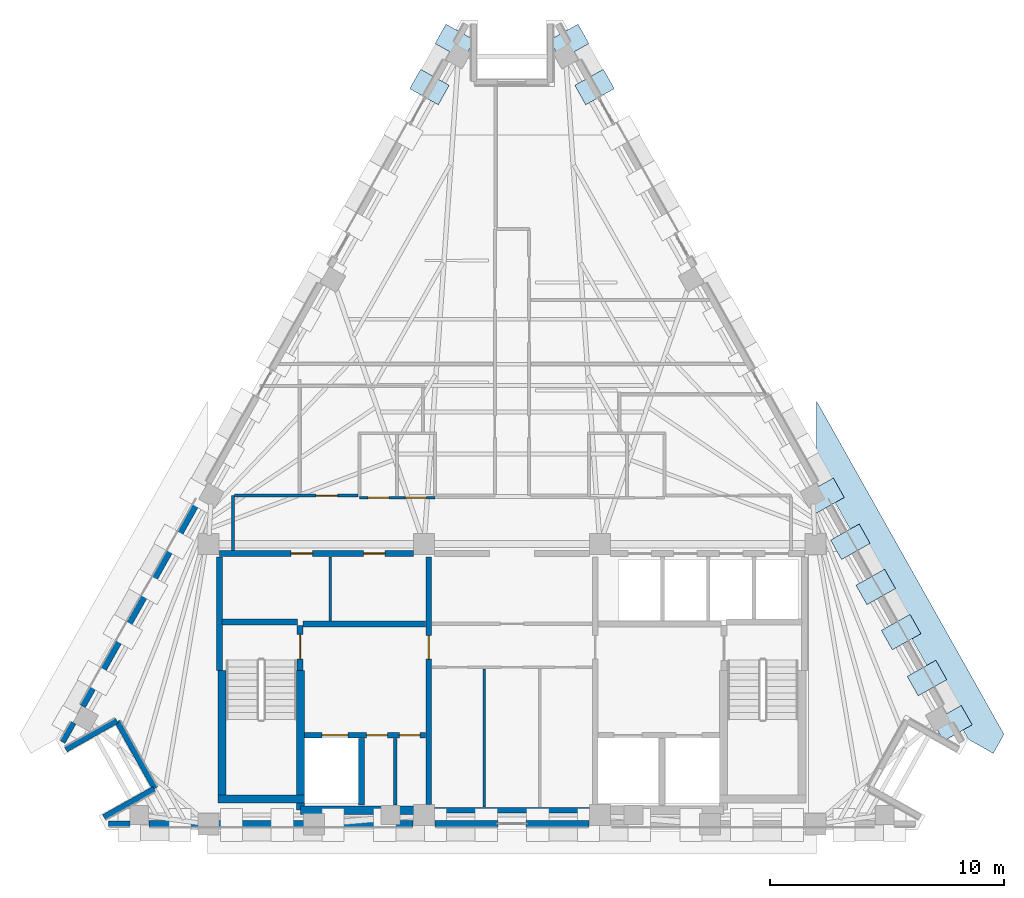
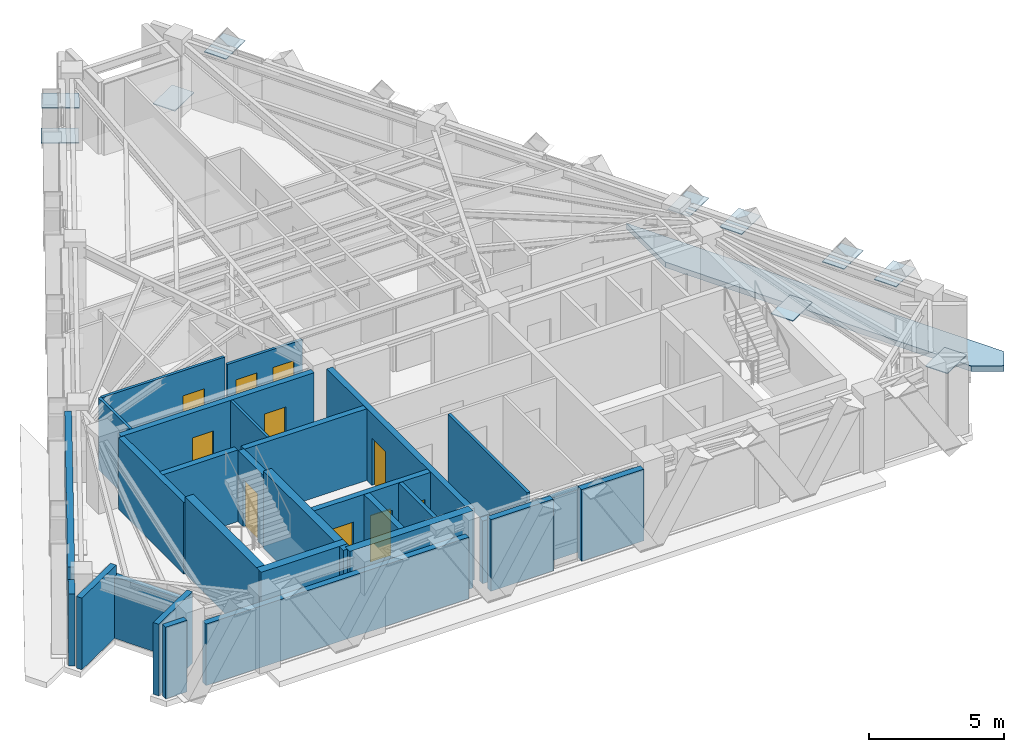
# One storey, part 5 of 9: 28 walls, 10 doors, 10 plates, 1 slab, 10 openings.
"""IFC4 building model written with IfcOpenShell, lengths in metres."""

from ifc_helpers import new_model, si_unit, direction, frame, frame_2d, origin, origin_2d, place, context, subcontext, project, spatial, polyline, rectangle, outline, extrude, material, layer, layer_set, type_object, element, fill, save


model = new_model("IFC4")

# Units and contexts
model_context = context("Model", 3, precision=1e-05, world=origin(), true_north=direction((0.0, 1.0)))
body_context = subcontext(model_context, "Body", "Model", "MODEL_VIEW")
ifc_project = project(units=[si_unit("LENGTHUNIT", "METRE"), si_unit("AREAUNIT", "SQUARE_METRE"), si_unit("VOLUMEUNIT", "CUBIC_METRE"), si_unit("PLANEANGLEUNIT", "RADIAN"), si_unit("MASSUNIT", "GRAM", prefix="KILO")], contexts=[model_context])

# Site, building, storey
site_placement = place(None, origin())
site = spatial("IfcSite", under=ifc_project, at=site_placement, CompositionType="ELEMENT")
building_placement = place(site_placement, origin())
building = spatial("IfcBuilding", under=site, at=building_placement, Name="Quenlor Broadcast Tower", CompositionType="ELEMENT")
storey_placement = place(building_placement, frame((0.0, 0.0, 228.89990234375)))
storey = spatial("IfcBuildingStorey", under=building, at=storey_placement, Name="L63", CompositionType="ELEMENT", Elevation=228.89990234375)

# Slab
ifc_material_1 = material(Name="Concrete C40/50", Category="concrete")
ifc_layer_1 = layer(ifc_material_1, 0.25)
ifc_layer_set_1 = layer_set([ifc_layer_1], Name="Tower Setback Weatherproof Concrete C40/50 Roof Slab 250")
slab_type = type_object("IfcSlabType", Name="Tower Setback Weatherproof Concrete C40/50 Roof Slab 250", PredefinedType="ROOF", material=ifc_layer_set_1)
slab_placement = place(storey_placement, frame((0.0, 0.0, -0.25)))
element("IfcSlab", 1, at=slab_placement, inside=storey, type_object=slab_type, Name="L63 Setback Weatherproof Roof Slab 2", PredefinedType="ROOF", context=body_context, shape_type="SweptSolid", body=[
    extrude(outline(polyline([(20.988037109375, -12.912109375), (20.530029296875, -13.72607421875), (19.468505859375, -13.12890625), (13.0, -1.62939453125), (13.0, 1.288818359375), (20.988037109375, -12.912109375)])), origin(), (0.0, 0.0, 1.0), 0.25),
])

# Plates
ifc_material_2 = material(Name="Steel S355", Category="steel")
ifc_layer_2 = layer(ifc_material_2, 0.035888671875)
ifc_layer_set_2 = layer_set([ifc_layer_2], Name="Transfer Truss Steel S355 Gusset Node Plate 1400x950x36")
plate_type = type_object("IfcPlateType", Name="Transfer Truss Steel S355 Gusset Node Plate 1400x950x36", PredefinedType="SHEET", material=ifc_layer_set_2)
for number, where, z_axis, x_axis, name in (
    (2, (2.438232421875, 16.626708984375, 0.0419921875), (0.0, 0.0, 1.0), (0.871556314255, 0.490295412055, 0.0), "L63 Lattice Tie Gusset Node NE-B0"),
    (3, (3.521728515625, 14.70068359375, 3.18212890625), (0.0, 0.0, 1.0), (0.871556314255, 0.490295412055, 0.0), "L63 Lattice Tie Gusset Node NE-T1"),
    (4, (13.330810546875, -2.73779296875, 3.18212890625), (0.0, 0.0, 1.0), (0.871556314255, 0.490295412055, 0.0), "L63 Lattice Tie Gusset Node NE-T10"),
    (5, (15.51708984375, -6.62451171875, 0.0419921875), (0.0, 0.0, 1.0), (0.871556314255, 0.490295412055, 0.0), "L63 Lattice Tie Gusset Node NE-B12"),
    (6, (14.433837890625, -4.698486328125, 3.18212890625), (0.0, 0.0, 1.0), (0.871556314255, 0.490295412055, 0.0), "L63 Lattice Tie Gusset Node NE-T11"),
    (7, (16.6005859375, -8.550537109375, 3.18212890625), (0.0, 0.0, 1.0), (0.871556314255, 0.490295412055, 0.0), "L63 Lattice Tie Gusset Node NE-T13"),
    (8, (18.786865234375, -12.4375, 0.0419921875), (0.0, 0.0, 1.0), (0.871556314255, 0.490295412055, 0.0), "L63 Lattice Tie Gusset Node NE-B15"),
    (9, (17.70361328125, -10.511474609375, 3.18212890625), (0.0, 0.0, 1.0), (0.871556314255, 0.490295412055, 0.0), "L63 Lattice Tie Gusset Node NE-T14"),
    (10, (-2.438232421875, 16.626708984375, 0.0419921875), (0.0, 0.0, 1.0), (-0.871556314255, 0.490295412055, 0.0), "L63 Lattice Tie Gusset Node NW-B15"),
    (11, (-3.521728515625, 14.70068359375, 3.18212890625), (0.0, 0.0, 1.0), (-0.871556314255, 0.490295412055, 0.0), "L63 Lattice Tie Gusset Node NW-T14"),
):
    element("IfcPlate", number, at=place(storey_placement, frame(where, z_axis=z_axis, x_axis=x_axis)), inside=storey, type_object=plate_type, Name=name, PredefinedType="SHEET", context=body_context, shape_type="SweptSolid", body=[
        extrude(rectangle(XDim=1.39990234375, YDim=0.949951171875, at=origin_2d()), origin(), (0.0, 0.0, 1.0), 0.035888671875),
    ])

# Walls
ifc_material_3 = material(Name="Concrete C50/60", Category="concrete")
ifc_layer_3 = layer(ifc_material_3, 0.35009765625)
ifc_layer_set_3 = layer_set([ifc_layer_3], Name="Core Concrete C50/60 Shear Wall 350")
wall_type_1 = type_object("IfcWallType", Name="Core Concrete C50/60 Shear Wall 350", PredefinedType="SHEAR", material=ifc_layer_set_3)
wall_1_placement = place(storey_placement, frame((-12.550048828125, -15.675048828125, 0.0), z_axis=(0.0, 0.0, 1.0), x_axis=(1.0, 0.0, 0.0)))
element("IfcWall", 12, at=wall_1_placement, inside=storey, type_object=wall_type_1, Name="L63 Core Shear Wall WS-W1", PredefinedType="SHEAR", context=body_context, shape_type="SweptSolid", body=[
    extrude(rectangle(XDim=3.699951171875, YDim=0.35009765625, at=frame_2d((1.85009765625, 0.0))), origin(), (0.0, 0.0, 1.0), 3.5),
])
wall_2_placement = place(storey_placement, frame((-9.02490234375, -16.14990234375, 0.0), z_axis=(0.0, 0.0, 1.0), x_axis=(1.0, 0.0, 0.0)))
element("IfcWall", 13, at=wall_2_placement, inside=storey, type_object=wall_type_1, Name="L63 Core Shear Wall WS-W2", PredefinedType="SHEAR", context=body_context, shape_type="SweptSolid", body=[
    extrude(rectangle(XDim=5.27490234375, YDim=0.35009765625, at=frame_2d((2.637451171875, 0.0))), origin(), (0.0, 0.0, 1.0), 3.5),
])
wall_3_placement = place(storey_placement, frame((-12.375, -15.675048828125, 0.0), z_axis=(0.0, 0.0, 1.0), x_axis=(0.0, 1.0, 0.0)))
element("IfcWall", 14, at=wall_3_placement, inside=storey, type_object=wall_type_1, Name="L63 Core Shear Wall WF-W", PredefinedType="SHEAR", context=body_context, shape_type="SweptSolid", body=[
    extrude(rectangle(XDim=5.47509765625, YDim=0.35009765625, at=frame_2d((2.737548828125, 0.0))), origin(), (0.0, 0.0, 1.0), 3.5),
])
wall_4_placement = place(storey_placement, frame((-9.02490234375, -16.14990234375, 0.0), z_axis=(0.0, 0.0, 1.0), x_axis=(0.0, 1.0, 0.0)))
element("IfcWall", 15, at=wall_4_placement, inside=storey, type_object=wall_type_1, Name="L63 Core Shear Wall WI-W", PredefinedType="SHEAR", context=body_context, shape_type="SweptSolid", body=[
    extrude(rectangle(XDim=5.949951171875, YDim=0.35009765625, at=frame_2d((2.97509765625, 0.0))), origin(), (0.0, 0.0, 1.0), 3.5),
])

# Wall, opening, door
ifc_material_4 = material(Name="Concrete C40/50", Category="concrete")
ifc_layer_4 = layer(ifc_material_4, 0.25)
ifc_layer_set_4 = layer_set([ifc_layer_4], Name="Fire Rated Concrete C40/50 Core Wall 250")
wall_type_2 = type_object("IfcWallType", Name="Fire Rated Concrete C40/50 Core Wall 250", PredefinedType="PARTITIONING", material=ifc_layer_set_4)
wall_5_placement = place(storey_placement, frame((-9.0400390625, -10.179931640625, 0.0), z_axis=(0.0, 0.0, 1.0), x_axis=(0.0, 1.0, 0.0)))
wall_5 = element("IfcWall", 16, at=wall_5_placement, inside=storey, type_object=wall_type_2, Name="L63 Interior Wall CW-ST1-DR", PredefinedType="PARTITIONING", context=body_context, shape_type="SweptSolid", body=[
    extrude(rectangle(XDim=1.89990234375, YDim=0.25, at=frame_2d((0.949951171875, 0.0))), origin(), (0.0, 0.0, 1.0), 3.25),
])
opening_1_placement = place(wall_5_placement, frame((0.47998046875, 0.0, 0.0)))
opening_1 = element("IfcOpeningElement", 17, at=opening_1_placement, cuts=wall_5, Name="Opening FD-1", PredefinedType="OPENING", context=body_context, shape_type="SweptSolid", body=[
    extrude(rectangle(XDim=1.050048828125, YDim=2.14990234375, at=frame_2d((0.52490234375, 1.074951171875))), frame((0.0, 0.135009765625, 0.0), z_axis=(0.0, -1.0, 0.0), x_axis=(1.0, 0.0, 0.0)), (0.0, 0.0, 1.0), 0.27001953125),
])
ifc_material_5 = material(Name="Fire Rated Steel Door Leaf", Category="steel")
door_type_1 = type_object("IfcDoorType", Name="Fire Isolated Stair Door 1050x2150", OperationType="NOTDEFINED", PredefinedType="DOOR", material=ifc_material_5)
door_1_placement = place(opening_1_placement, origin())
door_1 = element("IfcDoor", 18, at=door_1_placement, inside=storey, type_object=door_type_1, Name="L63 Door DR-ST1", OperationType="SINGLE_SWING_LEFT", OverallHeight=2.14990234375, OverallWidth=1.050048828125, PredefinedType="DOOR", context=body_context, shape_type="SweptSolid", body=[
    extrude(rectangle(XDim=1.050048828125, YDim=2.14990234375, at=frame_2d((0.52490234375, 1.074951171875))), frame((0.0, 0.02490234375, 0.0), z_axis=(0.0, -1.0, 0.0), x_axis=(1.0, 0.0, 0.0)), (0.0, 0.0, 1.0), 0.050048828125),
])
fill(opening_1, door_1)

# Walls
wall_6_placement = place(storey_placement, frame((-12.3798828125, -8.1201171875, 0.0), z_axis=(0.0, 0.0, 1.0), x_axis=(1.0, 0.0, 0.0)))
element("IfcWall", 19, at=wall_6_placement, inside=storey, type_object=wall_type_2, Name="L63 Interior Wall CW-ST1-N", PredefinedType="PARTITIONING", context=body_context, shape_type="SweptSolid", body=[
    extrude(rectangle(XDim=3.219970703125, YDim=0.25, at=frame_2d((1.60986328125, 0.0))), origin(), (0.0, 0.0, 1.0), 3.25),
])
wall_7_placement = place(storey_placement, frame((-12.47998046875, -10.179931640625, 0.0), z_axis=(0.0, 0.0, 1.0), x_axis=(0.0, 1.0, 0.0)))
element("IfcWall", 20, at=wall_7_placement, inside=storey, type_object=wall_type_2, Name="L63 Interior Wall CW-ST1-W2", PredefinedType="PARTITIONING", context=body_context, shape_type="SweptSolid", body=[
    extrude(rectangle(XDim=4.83984375, YDim=0.25, at=frame_2d((2.419921875, 0.0))), origin(), (0.0, 0.0, 1.0), 3.25),
])

# Wall, openings, doors
wall_8_placement = place(storey_placement, frame((-8.847900390625, -12.949951171875, 0.0), z_axis=(0.0, 0.0, 1.0), x_axis=(1.0, 0.0, 0.0)))
wall_8 = element("IfcWall", 21, at=wall_8_placement, inside=storey, type_object=wall_type_2, Name="L63 Interior Wall CW-FFW-S", PredefinedType="PARTITIONING", context=body_context, shape_type="SweptSolid", body=[
    extrude(rectangle(XDim=5.16796875, YDim=0.25, at=frame_2d((2.583984375, 0.0))), origin(), (0.0, 0.0, 1.0), 3.25),
])
opening_2_placement = place(wall_8_placement, frame((0.748046875, 0.0, 0.0)))
opening_2 = element("IfcOpeningElement", 22, at=opening_2_placement, cuts=wall_8, Name="Opening LD-FFL-1", PredefinedType="OPENING", context=body_context, shape_type="SweptSolid", body=[
    extrude(rectangle(XDim=1.10009765625, YDim=2.14990234375, at=frame_2d((0.550048828125, 1.074951171875))), frame((0.0, 0.135009765625, 0.0), z_axis=(0.0, -1.0, 0.0), x_axis=(1.0, 0.0, 0.0)), (0.0, 0.0, 1.0), 0.27001953125),
])
opening_3_placement = place(wall_8_placement, frame((2.64794921875, 0.0, 0.0)))
opening_3 = element("IfcOpeningElement", 23, at=opening_3_placement, cuts=wall_8, Name="Opening TD-1", PredefinedType="OPENING", context=body_context, shape_type="SweptSolid", body=[
    extrude(rectangle(XDim=0.8798828125, YDim=2.10009765625, at=frame_2d((0.43994140625, 1.050048828125))), frame((0.0, 0.135009765625, 0.0), z_axis=(0.0, -1.0, 0.0), x_axis=(1.0, 0.0, 0.0)), (0.0, 0.0, 1.0), 0.27001953125),
])
opening_4_placement = place(wall_8_placement, frame((4.048095703125, 0.0, 0.0)))
opening_4 = element("IfcOpeningElement", 24, at=opening_4_placement, cuts=wall_8, Name="Opening TD-1", PredefinedType="OPENING", context=body_context, shape_type="SweptSolid", body=[
    extrude(rectangle(XDim=0.8798828125, YDim=2.10009765625, at=frame_2d((0.43994140625, 1.050048828125))), frame((0.0, 0.135009765625, 0.0), z_axis=(0.0, -1.0, 0.0), x_axis=(1.0, 0.0, 0.0)), (0.0, 0.0, 1.0), 0.27001953125),
])
ifc_material_6 = material(Name="Brushed Stainless Steel", Category="steel")
door_type_2 = type_object("IfcDoorType", Name="Emergency Lift Sliding Landing Door 1100x2150", OperationType="NOTDEFINED", PredefinedType="DOOR", material=ifc_material_6)
door_2_placement = place(opening_2_placement, origin())
door_2 = element("IfcDoor", 25, at=door_2_placement, inside=storey, type_object=door_type_2, Name="L63 Door LD-FFL-1", OperationType="SLIDING_TO_LEFT", OverallHeight=2.14990234375, OverallWidth=1.10009765625, PredefinedType="DOOR", context=body_context, shape_type="SweptSolid", body=[
    extrude(rectangle(XDim=1.10009765625, YDim=2.14990234375, at=frame_2d((0.550048828125, 1.074951171875))), frame((0.0, 0.02490234375, 0.0), z_axis=(0.0, -1.0, 0.0), x_axis=(1.0, 0.0, 0.0)), (0.0, 0.0, 1.0), 0.050048828125),
])
fill(opening_2, door_2)
ifc_material_7 = material(Name="Fire Rated Steel Access Panel", Category="steel")
door_type_3 = type_object("IfcDoorType", Name="Riser Shaft Rated Access Trapdoor 880x2100", OperationType="NOTDEFINED", PredefinedType="TRAPDOOR", material=ifc_material_7)
door_3_placement = place(opening_3_placement, origin())
door_3 = element("IfcDoor", 26, at=door_3_placement, inside=storey, type_object=door_type_3, Name="L63 Door DR-ELR", OperationType="SINGLE_SWING_LEFT", OverallHeight=2.10009765625, OverallWidth=0.8798828125, PredefinedType="TRAPDOOR", context=body_context, shape_type="SweptSolid", body=[
    extrude(rectangle(XDim=0.8798828125, YDim=2.10009765625, at=frame_2d((0.43994140625, 1.050048828125))), frame((0.0, 0.02490234375, 0.0), z_axis=(0.0, -1.0, 0.0), x_axis=(1.0, 0.0, 0.0)), (0.0, 0.0, 1.0), 0.050048828125),
])
fill(opening_3, door_3)
door_4_placement = place(opening_4_placement, origin())
door_4 = element("IfcDoor", 27, at=door_4_placement, inside=storey, type_object=door_type_3, Name="L63 Door DR-CMR", OperationType="SINGLE_SWING_RIGHT", OverallHeight=2.10009765625, OverallWidth=0.8798828125, PredefinedType="TRAPDOOR", context=body_context, shape_type="SweptSolid", body=[
    extrude(rectangle(XDim=0.8798828125, YDim=2.10009765625, at=frame_2d((0.43994140625, 1.050048828125))), frame((0.0, 0.02490234375, 0.0), z_axis=(0.0, -1.0, 0.0), x_axis=(1.0, 0.0, 0.0)), (0.0, 0.0, 1.0), 0.050048828125),
])
fill(opening_4, door_4)

# Walls
wall_9_placement = place(storey_placement, frame((-6.419921875, -15.919921875, 0.0), z_axis=(0.0, 0.0, 1.0), x_axis=(0.0, 1.0, 0.0)))
element("IfcWall", 28, at=wall_9_placement, inside=storey, type_object=wall_type_2, Name="L63 Interior Wall CW-FF1-E", PredefinedType="PARTITIONING", context=body_context, shape_type="SweptSolid", body=[
    extrude(rectangle(XDim=2.829833984375, YDim=0.25, at=frame_2d((1.4150390625, 0.0))), origin(), (0.0, 0.0, 1.0), 3.25),
])
wall_10_placement = place(storey_placement, frame((-8.919921875, -8.199951171875, 0.0), z_axis=(0.0, 0.0, 1.0), x_axis=(1.0, 0.0, 0.0)))
element("IfcWall", 29, at=wall_10_placement, inside=storey, type_object=wall_type_2, Name="L63 Interior Wall CW-FFW-N", PredefinedType="PARTITIONING", context=body_context, shape_type="SweptSolid", body=[
    extrude(rectangle(XDim=5.239990234375, YDim=0.25, at=frame_2d((2.6201171875, 0.0))), origin(), (0.0, 0.0, 1.0), 3.25),
])

# Wall, opening, door
wall_11_placement = place(storey_placement, frame((-3.550048828125, -15.89794921875, 0.0), z_axis=(0.0, 0.0, 1.0), x_axis=(0.0, 1.0, 0.0)))
wall_11 = element("IfcWall", 30, at=wall_11_placement, inside=storey, type_object=wall_type_2, Name="L63 Interior Wall CW-FFW-E", PredefinedType="PARTITIONING", context=body_context, shape_type="SweptSolid", body=[
    extrude(rectangle(XDim=10.557861328125, YDim=0.25, at=frame_2d((5.27880859375, 0.0))), origin(), (0.0, 0.0, 1.0), 3.25),
])
opening_5_placement = place(wall_11_placement, frame((6.197998046875, 0.0, 0.0)))
opening_5 = element("IfcOpeningElement", 31, at=opening_5_placement, cuts=wall_11, Name="Opening FD-2", PredefinedType="OPENING", context=body_context, shape_type="SweptSolid", body=[
    extrude(rectangle(XDim=1.0, YDim=2.14990234375, at=frame_2d((0.5, 1.074951171875))), frame((0.0, 0.135009765625, 0.0), z_axis=(0.0, -1.0, 0.0), x_axis=(1.0, 0.0, 0.0)), (0.0, 0.0, 1.0), 0.27001953125),
])
ifc_material_8 = material(Name="Fire Rated Glazed Steel Door", Category="steel")
door_type_4 = type_object("IfcDoorType", Name="Firefighting Lobby Smoke Door 1000x2150", OperationType="NOTDEFINED", PredefinedType="DOOR", material=ifc_material_8)
door_5_placement = place(opening_5_placement, origin())
door_5 = element("IfcDoor", 32, at=door_5_placement, inside=storey, type_object=door_type_4, Name="L63 Door DR-FFLW", OperationType="SINGLE_SWING_RIGHT", OverallHeight=2.14990234375, OverallWidth=1.0, PredefinedType="DOOR", context=body_context, shape_type="SweptSolid", body=[
    extrude(rectangle(XDim=1.0, YDim=2.14990234375, at=frame_2d((0.5, 1.074951171875))), frame((0.0, 0.02490234375, 0.0), z_axis=(0.0, -1.0, 0.0), x_axis=(1.0, 0.0, 0.0)), (0.0, 0.0, 1.0), 0.050048828125),
])
fill(opening_5, door_5)

# Wall, openings, doors
wall_12_placement = place(storey_placement, frame((-12.47998046875, -5.199951171875, 0.0), z_axis=(0.0, 0.0, 1.0), x_axis=(1.0, 0.0, 0.0)))
wall_12 = element("IfcWall", 33, at=wall_12_placement, inside=storey, type_object=wall_type_2, Name="L63 Interior Wall CW-N-W", PredefinedType="PARTITIONING", context=body_context, shape_type="SweptSolid", body=[
    extrude(rectangle(XDim=8.278076171875, YDim=0.25, at=frame_2d((4.13916015625, 0.0))), origin(), (0.0, 0.0, 1.0), 3.25),
])
opening_6_placement = place(wall_12_placement, frame((3.050048828125, 0.0, 0.0)))
opening_6 = element("IfcOpeningElement", 34, at=opening_6_placement, cuts=wall_12, Name="Opening ID-1", PredefinedType="OPENING", context=body_context, shape_type="SweptSolid", body=[
    extrude(rectangle(XDim=0.919921875, YDim=2.1201171875, at=frame_2d((0.4599609375, 1.06005859375))), frame((0.0, 0.135009765625, 0.0), z_axis=(0.0, -1.0, 0.0), x_axis=(1.0, 0.0, 0.0)), (0.0, 0.0, 1.0), 0.27001953125),
])
opening_7_placement = place(wall_12_placement, frame((6.14990234375, 0.0, 0.0)))
opening_7 = element("IfcOpeningElement", 35, at=opening_7_placement, cuts=wall_12, Name="Opening ID-1", PredefinedType="OPENING", context=body_context, shape_type="SweptSolid", body=[
    extrude(rectangle(XDim=0.919921875, YDim=2.1201171875, at=frame_2d((0.4599609375, 1.06005859375))), frame((0.0, 0.135009765625, 0.0), z_axis=(0.0, -1.0, 0.0), x_axis=(1.0, 0.0, 0.0)), (0.0, 0.0, 1.0), 0.27001953125),
])
ifc_material_9 = material(Name="Solid Core Timber Oak", Category="wood")
door_type_5 = type_object("IfcDoorType", Name="Single Leaf Timber Office Door 920x2120", OperationType="NOTDEFINED", PredefinedType="DOOR", material=ifc_material_9)
door_6_placement = place(opening_6_placement, origin())
door_6 = element("IfcDoor", 36, at=door_6_placement, inside=storey, type_object=door_type_5, Name="L63 Door DR-RCL1", OperationType="SINGLE_SWING_LEFT", OverallHeight=2.1201171875, OverallWidth=0.919921875, PredefinedType="DOOR", context=body_context, shape_type="SweptSolid", body=[
    extrude(rectangle(XDim=0.919921875, YDim=2.1201171875, at=frame_2d((0.4599609375, 1.06005859375))), frame((0.0, 0.02490234375, 0.0), z_axis=(0.0, -1.0, 0.0), x_axis=(1.0, 0.0, 0.0)), (0.0, 0.0, 1.0), 0.050048828125),
])
fill(opening_6, door_6)
door_7_placement = place(opening_7_placement, origin())
door_7 = element("IfcDoor", 37, at=door_7_placement, inside=storey, type_object=door_type_5, Name="L63 Door DR-RCL2", OperationType="SINGLE_SWING_RIGHT", OverallHeight=2.1201171875, OverallWidth=0.919921875, PredefinedType="DOOR", context=body_context, shape_type="SweptSolid", body=[
    extrude(rectangle(XDim=0.919921875, YDim=2.1201171875, at=frame_2d((0.4599609375, 1.06005859375))), frame((0.0, 0.02490234375, 0.0), z_axis=(0.0, -1.0, 0.0), x_axis=(1.0, 0.0, 0.0)), (0.0, 0.0, 1.0), 0.050048828125),
])
fill(opening_7, door_7)

# Walls
wall_13_placement = place(storey_placement, frame((-3.298095703125, -16.14990234375, 0.0), z_axis=(0.0, 0.0, 1.0), x_axis=(1.0, 0.0, 0.0)))
element("IfcWall", 38, at=wall_13_placement, inside=storey, type_object=wall_type_2, Name="L63 Interior Wall CW-MS-S", PredefinedType="PARTITIONING", context=body_context, shape_type="SweptSolid", body=[
    extrude(rectangle(XDim=6.59619140625, YDim=0.25, at=frame_2d((3.298095703125, 0.0))), origin(), (0.0, 0.0, 1.0), 2.84375),
])
ifc_material_10 = material(Name="Gypsum Fireboard Partition", Category="other")
ifc_layer_5 = layer(ifc_material_10, 0.159912109375)
ifc_layer_set_5 = layer_set([ifc_layer_5], Name="Fire Rated Shaft and Corridor Partition 160")
wall_type_3 = type_object("IfcWallType", Name="Fire Rated Shaft and Corridor Partition 160", PredefinedType="PARTITIONING", material=ifc_layer_set_5)
wall_14_placement = place(storey_placement, frame((-4.97998046875, -15.919921875, 0.0), z_axis=(0.0, 0.0, 1.0), x_axis=(0.0, 1.0, 0.0)))
element("IfcWall", 39, at=wall_14_placement, inside=storey, type_object=wall_type_3, Name="L63 Interior Wall CW-ELR-E", PredefinedType="PARTITIONING", context=body_context, shape_type="SweptSolid", body=[
    extrude(rectangle(XDim=2.829833984375, YDim=0.159912109375, at=frame_2d((1.4150390625, 0.0))), origin(), (0.0, 0.0, 1.0), 3.25),
])
ifc_material_11 = material(Name="Gypsum Plasterboard Partition", Category="other")
ifc_layer_6 = layer(ifc_material_11, 0.1201171875)
ifc_layer_set_6 = layer_set([ifc_layer_6], Name="Standard Office Partition 120")
wall_type_4 = type_object("IfcWallType", Name="Standard Office Partition 120", PredefinedType="PARTITIONING", material=ifc_layer_set_6)
wall_15_placement = place(storey_placement, frame((-7.75, -8.072998046875, 0.0), z_axis=(0.0, 0.0, 1.0), x_axis=(0.0, 1.0, 0.0)))
element("IfcWall", 40, at=wall_15_placement, inside=storey, type_object=wall_type_4, Name="L63 Interior Wall CW-RCL-MID", PredefinedType="PARTITIONING", context=body_context, shape_type="SweptSolid", body=[
    extrude(rectangle(XDim=2.73291015625, YDim=0.1201171875, at=frame_2d((1.366455078125, 0.0))), origin(), (0.0, 0.0, 1.0), 3.25),
])
wall_16_placement = place(storey_placement, frame((-1.179931640625, -16.02001953125, 0.0), z_axis=(0.0, 0.0, 1.0), x_axis=(0.0, 1.0, 0.0)))
element("IfcWall", 41, at=wall_16_placement, inside=storey, type_object=wall_type_4, Name="L63 Interior Wall CW-RCM-W3", PredefinedType="PARTITIONING", context=body_context, shape_type="SweptSolid", body=[
    extrude(rectangle(XDim=5.89013671875, YDim=0.1201171875, at=frame_2d((2.945068359375, 0.0))), origin(), (0.0, 0.0, 1.0), 3.25),
])

# Wall, openings, doors
wall_17_placement = place(storey_placement, frame((-6.510009765625, -2.820068359375, 0.0), z_axis=(0.0, 0.0, 1.0), x_axis=(1.0, 0.0, 0.0)))
wall_17 = element("IfcWall", 42, at=wall_17_placement, inside=storey, type_object=wall_type_4, Name="L63 Interior Wall PW-WCW-S", PredefinedType="PARTITIONING", context=body_context, shape_type="SweptSolid", body=[
    extrude(rectangle(XDim=3.219970703125, YDim=0.1201171875, at=frame_2d((1.60986328125, 0.0))), origin(), (0.0, 0.0, 1.0), 2.94287109375),
])
opening_8_placement = place(wall_17_placement, frame((0.360107421875, 0.0, 0.0)))
opening_8 = element("IfcOpeningElement", 43, at=opening_8_placement, cuts=wall_17, Name="Opening ID-3", PredefinedType="OPENING", context=body_context, shape_type="SweptSolid", body=[
    extrude(rectangle(XDim=0.89990234375, YDim=2.1201171875, at=frame_2d((0.449951171875, 1.06005859375))), frame((0.0, 0.070068359375, 0.0), z_axis=(0.0, -1.0, 0.0), x_axis=(1.0, 0.0, 0.0)), (0.0, 0.0, 1.0), 0.14013671875),
])
opening_9_placement = place(wall_17_placement, frame((1.9599609375, 0.0, 0.0)))
opening_9 = element("IfcOpeningElement", 44, at=opening_9_placement, cuts=wall_17, Name="Opening ID-3", PredefinedType="OPENING", context=body_context, shape_type="SweptSolid", body=[
    extrude(rectangle(XDim=0.89990234375, YDim=2.1201171875, at=frame_2d((0.449951171875, 1.06005859375))), frame((0.0, 0.070068359375, 0.0), z_axis=(0.0, -1.0, 0.0), x_axis=(1.0, 0.0, 0.0)), (0.0, 0.0, 1.0), 0.14013671875),
])
ifc_material_12 = material(Name="Moisture Resistant Timber Oak", Category="wood")
door_type_6 = type_object("IfcDoorType", Name="Washroom Privacy Door 900x2120", OperationType="NOTDEFINED", PredefinedType="DOOR", material=ifc_material_12)
door_8_placement = place(opening_8_placement, origin())
door_8 = element("IfcDoor", 45, at=door_8_placement, inside=storey, type_object=door_type_6, Name="L63 Door DR-AWC", OperationType="SINGLE_SWING_LEFT", OverallHeight=2.1201171875, OverallWidth=0.89990234375, PredefinedType="DOOR", context=body_context, shape_type="SweptSolid", body=[
    extrude(rectangle(XDim=0.89990234375, YDim=2.1201171875, at=frame_2d((0.449951171875, 1.06005859375))), frame((0.0, 0.02490234375, 0.0), z_axis=(0.0, -1.0, 0.0), x_axis=(1.0, 0.0, 0.0)), (0.0, 0.0, 1.0), 0.050048828125),
])
fill(opening_8, door_8)
door_9_placement = place(opening_9_placement, origin())
door_9 = element("IfcDoor", 46, at=door_9_placement, inside=storey, type_object=door_type_6, Name="L63 Door DR-SHW", OperationType="SINGLE_SWING_RIGHT", OverallHeight=2.1201171875, OverallWidth=0.89990234375, PredefinedType="DOOR", context=body_context, shape_type="SweptSolid", body=[
    extrude(rectangle(XDim=0.89990234375, YDim=2.1201171875, at=frame_2d((0.449951171875, 1.06005859375))), frame((0.0, 0.02490234375, 0.0), z_axis=(0.0, -1.0, 0.0), x_axis=(1.0, 0.0, 0.0)), (0.0, 0.0, 1.0), 0.050048828125),
])
fill(opening_9, door_9)

# Wall
wall_18_placement = place(storey_placement, frame((-11.89990234375, -5.072998046875, 0.0), z_axis=(0.0, 0.0, 1.0), x_axis=(0.0, 1.0, 0.0)))
element("IfcWall", 47, at=wall_18_placement, inside=storey, type_object=wall_type_4, Name="L63 Interior Wall PW-CR-01", PredefinedType="PARTITIONING", context=body_context, shape_type="SweptSolid", body=[
    extrude(rectangle(XDim=2.343017578125, YDim=0.1201171875, at=frame_2d((1.17138671875, 0.0))), origin(), (0.0, 0.0, 1.0), 3.25),
])

# Wall, opening, door
wall_19_placement = place(storey_placement, frame((-11.837890625, -2.72998046875, 0.0), z_axis=(0.0, 0.0, 1.0), x_axis=(1.0, 0.0, 0.0)))
wall_19 = element("IfcWall", 48, at=wall_19_placement, inside=storey, type_object=wall_type_4, Name="L63 Interior Wall PW-CR-02", PredefinedType="PARTITIONING", context=body_context, shape_type="SweptSolid", body=[
    extrude(rectangle(XDim=5.265869140625, YDim=0.1201171875, at=frame_2d((2.6328125, 0.0))), origin(), (0.0, 0.0, 1.0), 3.25),
])
opening_10_placement = place(wall_19_placement, frame((3.47900390625, 0.0, 0.0)))
opening_10 = element("IfcOpeningElement", 49, at=opening_10_placement, cuts=wall_19, Name="Opening ID-1", PredefinedType="OPENING", context=body_context, shape_type="SweptSolid", body=[
    extrude(rectangle(XDim=0.919921875, YDim=2.1201171875, at=frame_2d((0.4599609375, 1.06005859375))), frame((0.0, 0.070068359375, 0.0), z_axis=(0.0, -1.0, 0.0), x_axis=(1.0, 0.0, 0.0)), (0.0, 0.0, 1.0), 0.14013671875),
])
door_10_placement = place(opening_10_placement, origin())
door_10 = element("IfcDoor", 50, at=door_10_placement, inside=storey, type_object=door_type_5, Name="L63 Door DR-RM06", OperationType="SINGLE_SWING_LEFT", OverallHeight=2.1201171875, OverallWidth=0.919921875, PredefinedType="DOOR", context=body_context, shape_type="SweptSolid", body=[
    extrude(rectangle(XDim=0.919921875, YDim=2.1201171875, at=frame_2d((0.4599609375, 1.06005859375))), frame((0.0, 0.02490234375, 0.0), z_axis=(0.0, -1.0, 0.0), x_axis=(1.0, 0.0, 0.0)), (0.0, 0.0, 1.0), 0.050048828125),
])
fill(opening_10, door_10)

# Walls
ifc_material_13 = material(Name="Precast concrete C40/50", Category="concrete")
ifc_layer_7 = layer(ifc_material_13, 0.239990234375)
ifc_layer_set_7 = layer_set([ifc_layer_7], Name="Terrace Threshold Precast Concrete C40/50 Wall 240")
wall_type_5 = type_object("IfcWallType", Name="Terrace Threshold Precast Concrete C40/50 Wall 240", PredefinedType="STANDARD", material=ifc_layer_set_7)
wall_20_placement = place(storey_placement, frame((-16.302490234375, -16.72509765625, 0.0), z_axis=(0.0, 0.0, 1.0), x_axis=(-1.0, 0.0, 0.0)))
element("IfcWall", 51, at=wall_20_placement, inside=storey, type_object=wall_type_5, Name="L63 Exterior Wall L63-SHD-SS1", PredefinedType="STANDARD", context=body_context, shape_type="SweptSolid", body=[
    extrude(rectangle(XDim=0.91748046875, YDim=0.239990234375, at=frame_2d((0.458740234375, 0.0))), origin(), (0.0, 0.0, 1.0), 3.25),
])
wall_21_placement = place(storey_placement, frame((-19.1708984375, -13.242431640625, 0.0), z_axis=(0.0, 0.0, 1.0), x_axis=(0.490199895283, 0.871610040479, 0.0)))
element("IfcWall", 52, at=wall_21_placement, inside=storey, type_object=wall_type_5, Name="L63 Exterior Wall L63-SHD-NWS0", PredefinedType="STANDARD", context=body_context, shape_type="SweptSolid", body=[
    extrude(rectangle(XDim=0.94482421875, YDim=0.239990234375, at=frame_2d((0.472412109375, 0.0))), origin(), (0.0, 0.0, 1.0), 3.25),
])
wall_22_placement = place(storey_placement, frame((-19.033447265625, -13.556396484375, 0.0), z_axis=(0.0, 0.0, 1.0), x_axis=(0.871588577066, 0.490238056792, 0.0)))
element("IfcWall", 53, at=wall_22_placement, inside=storey, type_object=wall_type_5, Name="L63 Exterior Wall L63-CNR-13", PredefinedType="STANDARD", context=body_context, shape_type="SweptSolid", body=[
    extrude(rectangle(XDim=2.5, YDim=0.239990234375, at=frame_2d((1.25, 0.0))), origin(), (0.0, 0.0, 1.0), 3.25),
])
wall_23_placement = place(storey_placement, frame((-16.8349609375, -12.36572265625, 0.0), z_axis=(0.0, 0.0, 1.0), x_axis=(0.490293083368, -0.871557624258, 0.0)))
element("IfcWall", 54, at=wall_23_placement, inside=storey, type_object=wall_type_5, Name="L63 Exterior Wall L63-CNR-14", PredefinedType="STANDARD", context=body_context, shape_type="SweptSolid", body=[
    extrude(rectangle(XDim=3.276123046875, YDim=0.239990234375, at=frame_2d((1.63818359375, 0.0))), origin(), (0.0, 0.0, 1.0), 2.789794921875),
])
wall_24_placement = place(storey_placement, frame((-15.263671875, -15.240478515625, 0.0), z_axis=(0.0, 0.0, 1.0), x_axis=(-0.87157023615, -0.490270663468, 0.0)))
element("IfcWall", 55, at=wall_24_placement, inside=storey, type_object=wall_type_5, Name="L63 Exterior Wall L63-CNR-15", PredefinedType="STANDARD", context=body_context, shape_type="SweptSolid", body=[
    extrude(rectangle(XDim=2.4599609375, YDim=0.239990234375, at=frame_2d((1.22998046875, 0.0))), origin(), (0.0, 0.0, 1.0), 3.25),
])
ifc_material_14 = material(Name="Precast concrete C40/50", Category="concrete")
ifc_layer_8 = layer(ifc_material_14, 0.260009765625)
ifc_layer_set_8 = layer_set([ifc_layer_8], Name="Terracotta Precast Concrete C40/50 Upper Wall 260")
wall_type_6 = type_object("IfcWallType", Name="Terracotta Precast Concrete C40/50 Upper Wall 260", PredefinedType="STANDARD", material=ifc_layer_set_8)
wall_25_placement = place(storey_placement, frame((-4.219970703125, -16.72509765625, 0.0), z_axis=(0.0, 0.0, 1.0), x_axis=(-1.0, 0.0, 0.0)))
element("IfcWall", 56, at=wall_25_placement, inside=storey, type_object=wall_type_6, Name="L63 Exterior Wall L63-EW-SC", PredefinedType="STANDARD", context=body_context, shape_type="SweptSolid", body=[
    extrude(rectangle(XDim=11.272705078125, YDim=0.260009765625, at=frame_2d((5.63623046875, 0.0))), origin(), (0.0, 0.0, 1.0), 2.789794921875),
])
for number, where, z_axis, x_axis, name in (
    (57, (3.280029296875, -16.72509765625, 0.0), (0.0, 0.0, 1.0), (-1.0, 0.0, 0.0), "L63 Exterior Wall L63-S-SP1"),
    (58, (-0.6064453125, -16.72509765625, 0.0), (0.0, 0.0, 1.0), (-1.0, 0.0, 0.0), "L63 Exterior Wall L63-S-SP2"),
):
    element("IfcWall", number, at=place(storey_placement, frame(where, z_axis=z_axis, x_axis=x_axis)), inside=storey, type_object=wall_type_6, Name=name, PredefinedType="STANDARD", context=body_context, shape_type="SweptSolid", body=[
        extrude(rectangle(XDim=2.673583984375, YDim=0.260009765625, at=frame_2d((1.3369140625, 0.0))), origin(), (0.0, 0.0, 1.0), 3.25),
    ])
wall_26_placement = place(storey_placement, frame((-18.310546875, -11.712890625, 0.0), z_axis=(0.0, 0.0, 1.0), x_axis=(0.490266968583, 0.871572314565, 0.0)))
element("IfcWall", 59, at=wall_26_placement, inside=storey, type_object=wall_type_6, Name="L63 Exterior Wall L63-EW-NWA", PredefinedType="STANDARD", context=body_context, shape_type="SweptSolid", body=[
    extrude(rectangle(XDim=10.116455078125, YDim=0.260009765625, at=frame_2d((5.05810546875, 0.0))), origin(), (0.0, 0.0, 1.0), 3.25),
])

save(model, "model.ifc")
